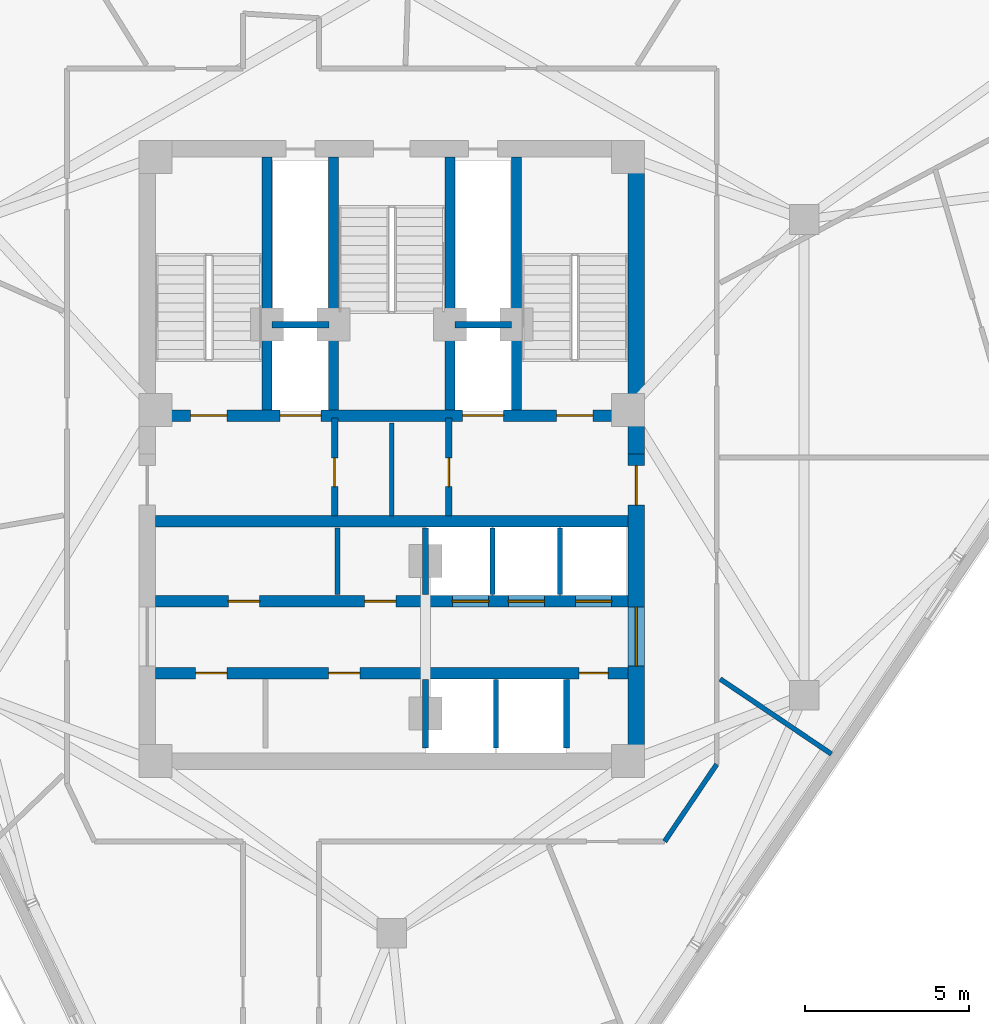
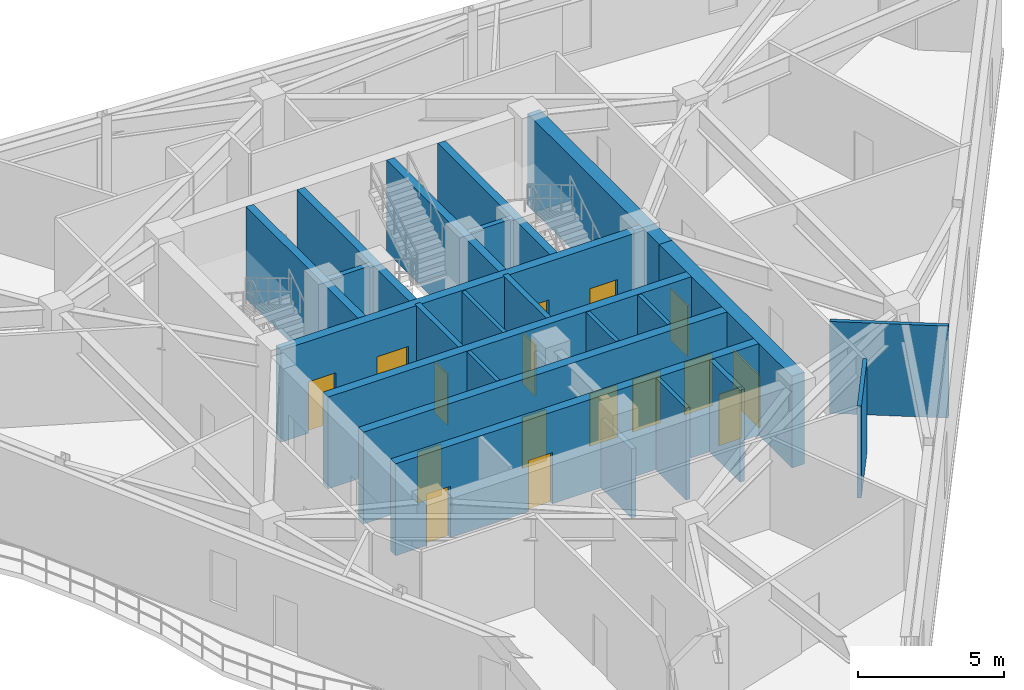
# One storey, part 6 of 10: 24 walls, 16 doors, 16 openings.
"""IFC4 building model written with IfcOpenShell, lengths in metres."""

import ifcopenshell
import ifcopenshell.guid

model = None  # the IFC model being written
_history = None  # IfcOwnerHistory: only IFC2X3 demands one
_inside = {}  # id of a spatial element -> (the spatial element, [elements in it])
_under = {}  # id of a project, library or spatial element -> (it, [spatial elements below it])
_declared = {}  # id of a project -> (the project, [libraries it declares])
_typed = {}  # id of a type object -> (the type object, [elements of that type])
_made_of = {}  # id of a material, layer set ... -> (it, [elements and type objects made of it])


def new_model(schema):
    """Start an empty IFC model of exactly this schema.

    Asked for "IFC4X3", IfcOpenShell would pick the latest addendum, in which some entities
    have other attributes; the version numbers below select the first issue.
    IFC2X3 requires an IfcOwnerHistory on every rooted entity: one is made here for all.
    """
    global model, _history
    if schema == "IFC4X3":
        model = ifcopenshell.file(schema_version=(4, 3, 0, 0))
    else:
        model = ifcopenshell.file(schema=schema)
    _inside.clear()
    _under.clear()
    _declared.clear()
    _typed.clear()
    _made_of.clear()
    _history = None
    if model.schema == "IFC2X3":
        org = make("IfcOrganization", Name="unknown")
        user = make(
            "IfcPersonAndOrganization",
            ThePerson=make("IfcPerson", FamilyName="unknown"),
            TheOrganization=org,
        )
        app = make(
            "IfcApplication",
            ApplicationDeveloper=org,
            Version="unknown",
            ApplicationFullName="unknown",
            ApplicationIdentifier="unknown",
        )
        _history = make(
            "IfcOwnerHistory",
            OwningUser=user,
            OwningApplication=app,
            ChangeAction="ADDED",
            CreationDate=0,
        )
    return model


def make(cls, **values):
    """One entity of the class cls with the attributes given. An attribute that is None is left unset."""
    return model.create_entity(
        cls, **{name: value for name, value in values.items() if value is not None}
    )


def rooted(cls, **values):
    """An entity with a GlobalId (a new one), such as an element, a storey or a relation."""
    return make(cls, GlobalId=ifcopenshell.guid.new(), OwnerHistory=_history, **values)


def si_unit(unit_type, name, prefix=None):
    """IfcSIUnit, for example si_unit("LENGTHUNIT", "METRE", prefix="MILLI")."""
    return make("IfcSIUnit", UnitType=unit_type, Prefix=prefix, Name=name)


def assignment(units):
    """IfcUnitAssignment: the units of a project."""
    return None if units is None else make("IfcUnitAssignment", Units=units)


def point(xyz):
    """IfcCartesianPoint."""
    return None if xyz is None else make("IfcCartesianPoint", Coordinates=xyz)


def direction(xyz):
    """IfcDirection."""
    return None if xyz is None else make("IfcDirection", DirectionRatios=xyz)


def frame(location, z_axis=None, x_axis=None):
    """IfcAxis2Placement3D, a coordinate frame: its origin and axes. An axis left out is left unset."""
    return make(
        "IfcAxis2Placement3D",
        Location=point(location),
        Axis=direction(z_axis),
        RefDirection=direction(x_axis),
    )


def frame_2d(location, x_axis=None):
    """IfcAxis2Placement2D, a coordinate frame in the plane: its origin and x axis."""
    return make(
        "IfcAxis2Placement2D", Location=point(location), RefDirection=direction(x_axis)
    )


def origin():
    """The frame at (0, 0, 0) with its axes left unset."""
    return frame((0.0, 0.0, 0.0))


def place(relative_to, where):
    """IfcLocalPlacement: puts the frame where relative to a parent placement (None: the world)."""
    return make(
        "IfcLocalPlacement", PlacementRelTo=relative_to, RelativePlacement=where
    )


def context(
    kind, dimensions, precision=None, world=None, true_north=None, identifier=None
):
    """IfcGeometricRepresentationContext, for example the 3D "Model" context."""
    return make(
        "IfcGeometricRepresentationContext",
        ContextIdentifier=identifier,
        ContextType=kind,
        CoordinateSpaceDimension=dimensions,
        Precision=precision,
        WorldCoordinateSystem=world,
        TrueNorth=true_north,
    )


def subcontext(parent, identifier, kind, view, scale=None):
    """IfcGeometricRepresentationSubContext, for example "Body" below "Model"."""
    return make(
        "IfcGeometricRepresentationSubContext",
        ContextIdentifier=identifier,
        ContextType=kind,
        ParentContext=parent,
        TargetScale=scale,
        TargetView=view,
    )


def project(units=None, contexts=None):
    """IfcProject with its units and contexts."""
    return rooted(
        "IfcProject",
        Name="project",
        RepresentationContexts=contexts,
        UnitsInContext=assignment(units),
    )


def spatial(cls, under=None, at=None, **own):
    """A site, building, storey or space (cls), placed at a placement, below another one or the project."""
    s = rooted(cls, ObjectPlacement=at, **own)
    if under is not None:
        _under.setdefault(under.id(), (under, []))[1].append(s)
    return s


def profile(cls, at=None, kind="AREA", **sizes):
    """A parametric profile (cls). Its sizes go by their IFC names, for example OverallWidth=200.0."""
    return make(cls, ProfileType=kind, Position=at, **sizes)


def rectangle(**sizes):
    """IfcRectangleProfileDef."""
    return profile("IfcRectangleProfileDef", **sizes)


def extrude(swept, where, along, depth):
    """IfcExtrudedAreaSolid: the profile swept, set in the frame where, extruded along a direction by depth."""
    return make(
        "IfcExtrudedAreaSolid",
        SweptArea=swept,
        Position=where,
        ExtrudedDirection=direction(along),
        Depth=depth,
    )


def shape(context_of_items, identifier, shape_type, items):
    """IfcShapeRepresentation: the items that make up one representation, for example the "Body"."""
    return make(
        "IfcShapeRepresentation",
        ContextOfItems=context_of_items,
        RepresentationIdentifier=identifier,
        RepresentationType=shape_type,
        Items=items,
    )


def material(Name=None, Category=None):
    """IfcMaterial."""
    return make("IfcMaterial", Name=Name, Category=Category)


def layer(
    of_material, thickness, ventilated=None, Name=None, Category=None, Priority=None
):
    """IfcMaterialLayer: one layer of a wall or slab, of a material (None: an air gap)."""
    return make(
        "IfcMaterialLayer",
        Material=of_material,
        LayerThickness=thickness,
        IsVentilated=ventilated,
        Name=Name,
        Category=Category,
        Priority=Priority,
    )


def layer_set(layers, Name=None):
    """IfcMaterialLayerSet."""
    return make("IfcMaterialLayerSet", MaterialLayers=layers, LayerSetName=Name)


def made_of(thing, what):
    """Note that an element or type object is made of a material, layer set ...; save() writes the relation."""
    if what is not None:
        _made_of.setdefault(what.id(), (what, []))[1].append(thing)
    return thing


def type_object(cls, material=None, **own):
    """A type object (cls), such as IfcWallType, which elements share."""
    return made_of(rooted(cls, **own), material)


def element(
    cls,
    number,
    at=None,
    inside=None,
    cuts=None,
    type_object=None,
    material=None,
    context=None,
    identifier="Body",
    shape_type=None,
    held_by="IfcProductDefinitionShape",
    body=None,
    shapes=None,
    **own,
):
    """One element of the class cls, such as IfcWall. Its Tag is "e" and its number.

    at: its placement. inside: the storey or other place that contains it. cuts: it is an
    opening in that element (IfcRelVoidsElement). A single representation is given by context,
    identifier, shape_type and body (its items); several are given by shapes. held_by: the class
    of the entity that holds the representations. save() writes the other relations.
    """
    e = rooted(cls, Tag="e%d" % number, ObjectPlacement=at, **own)
    if body is not None:
        shapes = [shape(context, identifier, shape_type, body)]
    if shapes is not None:
        e.Representation = make(held_by, Representations=shapes)
    if inside is not None:
        _inside.setdefault(inside.id(), (inside, []))[1].append(e)
    if cuts is not None:
        rooted(
            "IfcRelVoidsElement", RelatingBuildingElement=cuts, RelatedOpeningElement=e
        )
    if type_object is not None:
        _typed.setdefault(type_object.id(), (type_object, []))[1].append(e)
    return made_of(e, material)


def fill(opening, filler):
    """IfcRelFillsElement: the door or window that sits in an opening."""
    return rooted(
        "IfcRelFillsElement",
        RelatingOpeningElement=opening,
        RelatedBuildingElement=filler,
    )


def aggregate(whole, parts):
    """IfcRelAggregates: a whole, such as a stair, and the parts it consists of."""
    return rooted("IfcRelAggregates", RelatingObject=whole, RelatedObjects=parts)


def save(model, path):
    """Write the relations noted so far, then the file.

    IfcRelAggregates (storeys below a building ...), IfcRelContainedInSpatialStructure (elements
    in a storey), IfcRelDefinesByType, IfcRelAssociatesMaterial and IfcRelDeclares: one each for
    every whole, place, type object, material and project.
    """
    for whole, parts in _under.values():
        aggregate(whole, parts)
    for where, things in _inside.values():
        rooted(
            "IfcRelContainedInSpatialStructure",
            RelatedElements=things,
            RelatingStructure=where,
        )
    for kind, things in _typed.values():
        rooted("IfcRelDefinesByType", RelatedObjects=things, RelatingType=kind)
    for what, things in _made_of.values():
        rooted("IfcRelAssociatesMaterial", RelatedObjects=things, RelatingMaterial=what)
    for by, libraries in _declared.values():
        rooted("IfcRelDeclares", RelatingContext=by, RelatedDefinitions=libraries)
    model.write(path)


model = new_model("IFC4")

# Units and contexts
model_context = context("Model", 3, precision=1e-05, world=origin(), true_north=direction((0.0, 1.0)))
body_context = subcontext(model_context, "Body", "Model", "MODEL_VIEW")
ifc_project = project(units=[si_unit("LENGTHUNIT", "METRE"), si_unit("AREAUNIT", "SQUARE_METRE"), si_unit("VOLUMEUNIT", "CUBIC_METRE"), si_unit("PLANEANGLEUNIT", "RADIAN"), si_unit("MASSUNIT", "GRAM", prefix="KILO")], contexts=[model_context])

# Site, building, storey
site_placement = place(None, origin())
site = spatial("IfcSite", under=ifc_project, at=site_placement, CompositionType="ELEMENT")
building_placement = place(site_placement, origin())
building = spatial("IfcBuilding", under=site, at=building_placement, Name="Apsidion Concourse Tower", CompositionType="ELEMENT")
storey_placement = place(building_placement, frame((0.0, 0.0, 302.39990234375)))
storey = spatial("IfcBuildingStorey", under=building, at=storey_placement, Name="L71", CompositionType="ELEMENT", Elevation=302.39990234375)

# Walls
ifc_material_1 = material(Name="Gypsum plasterboard partition")
ifc_layer_1 = layer(ifc_material_1, 0.14990234375)
ifc_layer_set_1 = layer_set([ifc_layer_1], Name="Gypsum plasterboard partition")
wall_type_1 = type_object("IfcWallType", Name="WL-INT-PAR-150", PredefinedType="PARTITIONING", material=ifc_layer_set_1)
for number, where, z_axis, x_axis, name in (
    (1, (-1.64990234375, -4.179931640625, 0.0), (0.0, 0.0, 1.0), (0.0, 1.0, 0.0), "L71 Interior Partition WL-L71-B1RV1"),
    (2, (3.074951171875, -4.179931640625, 0.0), (0.0, 0.0, 1.0), (0.0, 1.0, 0.0), "L71 Interior Partition WL-L71-B3DIV-1"),
    (3, (5.125, -4.179931640625, 0.0), (0.0, 0.0, 1.0), (0.0, 1.0, 0.0), "L71 Interior Partition WL-L71-B3DIV-2"),
):
    element("IfcWall", number, at=place(storey_placement, frame(where, z_axis=z_axis, x_axis=x_axis)), inside=storey, type_object=wall_type_1, Name=name, PredefinedType="PARTITIONING", context=body_context, shape_type="SweptSolid", body=[
        extrude(rectangle(XDim=2.030029296875, YDim=0.14990234375, at=frame_2d((1.01513671875, 0.0))), origin(), (0.0, 0.0, 1.0), 3.85009765625),
    ])
wall_1_placement = place(storey_placement, frame((3.175048828125, -8.85009765625, 0.0), z_axis=(0.0, 0.0, 1.0), x_axis=(0.0, 1.0, 0.0)))
element("IfcWall", 4, at=wall_1_placement, inside=storey, type_object=wall_type_1, Name="L71 Interior Partition WL-L71-SHDIV-1", PredefinedType="PARTITIONING", context=body_context, shape_type="SweptSolid", body=[
    extrude(rectangle(XDim=2.080078125, YDim=0.14990234375, at=frame_2d((1.0400390625, 0.0))), origin(), (0.0, 0.0, 1.0), 3.85009765625),
])
wall_2_placement = place(storey_placement, frame((0.0, -1.780029296875, 0.0), z_axis=(0.0, 0.0, 1.0), x_axis=(0.0, 1.0, 0.0)))
element("IfcWall", 5, at=wall_2_placement, inside=storey, type_object=wall_type_1, Name="L71 Interior Partition WL-L71-K3V", PredefinedType="PARTITIONING", context=body_context, shape_type="SweptSolid", body=[
    extrude(rectangle(XDim=2.830078125, YDim=0.14990234375, at=frame_2d((1.4150390625, 0.0))), origin(), (0.0, 0.0, 1.0), 3.85009765625),
])
wall_3_placement = place(storey_placement, frame((9.89990234375, -9.348388671875, 0.0), z_axis=(0.0, 0.0, 1.0), x_axis=(-0.559200828408, -0.829032227062, 0.0)))
element("IfcWall", 6, at=wall_3_placement, inside=storey, type_object=wall_type_1, Name="L71 Interior Partition WL-L71-CORR-10", PredefinedType="PARTITIONING", context=body_context, shape_type="SweptSolid", body=[
    extrude(rectangle(XDim=2.83642578125, YDim=0.14990234375, at=frame_2d((1.418212890625, 0.0))), origin(), (0.0, 0.0, 1.0), 3.85009765625),
])
wall_4_placement = place(storey_placement, frame((10.0048828125, -6.74853515625, 0.0), z_axis=(0.0, 0.0, 1.0), x_axis=(0.829060536135, -0.559158857056, 0.0)))
element("IfcWall", 7, at=wall_4_placement, inside=storey, type_object=wall_type_1, Name="L71 Interior Partition WL-L71-RAD-11-1", PredefinedType="PARTITIONING", context=body_context, shape_type="SweptSolid", body=[
    extrude(rectangle(XDim=4.086669921875, YDim=0.14990234375, at=frame_2d((2.04345703125, 0.0))), origin(), (0.0, 0.0, 1.0), 3.85009765625),
])
ifc_layer_2 = layer(ifc_material_1, 0.179931640625)
ifc_layer_set_2 = layer_set([ifc_layer_2], Name="Gypsum plasterboard partition")
wall_type_2 = type_object("IfcWallType", Name="WL-INT-PAR-180", PredefinedType="PARTITIONING", material=ifc_layer_set_2)
wall_5_placement = place(storey_placement, frame((1.02490234375, -4.179931640625, 0.0), z_axis=(0.0, 0.0, 1.0), x_axis=(0.0, 1.0, 0.0)))
element("IfcWall", 8, at=wall_5_placement, inside=storey, type_object=wall_type_2, Name="L71 Interior Partition WL-L71-B1END", PredefinedType="PARTITIONING", context=body_context, shape_type="SweptSolid", body=[
    extrude(rectangle(XDim=2.030029296875, YDim=0.179931640625, at=frame_2d((1.01513671875, 0.0))), origin(), (0.0, 0.0, 1.0), 2.898193359375),
])
wall_6_placement = place(storey_placement, frame((1.02490234375, -8.85009765625, 0.0), z_axis=(0.0, 0.0, 1.0), x_axis=(0.0, 1.0, 0.0)))
element("IfcWall", 9, at=wall_6_placement, inside=storey, type_object=wall_type_2, Name="L71 Interior Partition WL-L71-B2END", PredefinedType="PARTITIONING", context=body_context, shape_type="SweptSolid", body=[
    extrude(rectangle(XDim=2.080078125, YDim=0.179931640625, at=frame_2d((1.0400390625, 0.0))), origin(), (0.0, 0.0, 1.0), 2.898193359375),
])
wall_7_placement = place(storey_placement, frame((5.324951171875, -8.85009765625, 0.0), z_axis=(0.0, 0.0, 1.0), x_axis=(0.0, 1.0, 0.0)))
element("IfcWall", 10, at=wall_7_placement, inside=storey, type_object=wall_type_2, Name="L71 Interior Partition WL-L71-SHDIV-2", PredefinedType="PARTITIONING", context=body_context, shape_type="SweptSolid", body=[
    extrude(rectangle(XDim=2.080078125, YDim=0.179931640625, at=frame_2d((1.0400390625, 0.0))), origin(), (0.0, 0.0, 1.0), 3.85009765625),
])
ifc_layer_3 = layer(ifc_material_1, 0.199951171875)
ifc_layer_set_3 = layer_set([ifc_layer_3], Name="Gypsum plasterboard partition")
wall_type_3 = type_object("IfcWallType", Name="WL-INT-PAR-200", PredefinedType="PARTITIONING", material=ifc_layer_set_3)
for number, where, z_axis, x_axis, name in (
    (11, (-3.64990234375, 4.050048828125, 0.0), (0.0, 0.0, 1.0), (1.0, 0.0, 0.0), "L71 Interior Partition WL-L71-FF1-N"),
    (12, (1.919921875, 4.050048828125, 0.0), (0.0, 0.0, 1.0), (1.0, 0.0, 0.0), "L71 Interior Partition WL-L71-FF2-N"),
):
    element("IfcWall", number, at=place(storey_placement, frame(where, z_axis=z_axis, x_axis=x_axis)), inside=storey, type_object=wall_type_3, Name=name, PredefinedType="PARTITIONING", context=body_context, shape_type="SweptSolid", body=[
        extrude(rectangle(XDim=1.72998046875, YDim=0.199951171875, at=frame_2d((0.864990234375, 0.0))), origin(), (0.0, 0.0, 1.0), 3.85009765625),
    ])

# Wall, opening, door
wall_8_placement = place(storey_placement, frame((-1.739990234375, -1.780029296875, 0.0), z_axis=(0.0, 0.0, 1.0), x_axis=(0.0, 1.0, 0.0)))
wall_8 = element("IfcWall", 13, at=wall_8_placement, inside=storey, type_object=wall_type_3, Name="L71 Interior Partition WL-L71-FF1-E", PredefinedType="PARTITIONING", context=body_context, shape_type="SweptSolid", body=[
    extrude(rectangle(XDim=2.97998046875, YDim=0.199951171875, at=frame_2d((1.489990234375, 0.0))), origin(), (0.0, 0.0, 1.0), 3.85009765625),
])
opening_1_placement = place(wall_8_placement, frame((0.889892578125, 0.0, 0.0)))
opening_1 = element("IfcOpeningElement", 14, at=opening_1_placement, cuts=wall_8, Name="Opening D-05R", PredefinedType="OPENING", context=body_context, shape_type="SweptSolid", body=[
    extrude(rectangle(XDim=0.8798828125, YDim=2.14990234375, at=frame_2d((0.43994140625, 1.074951171875))), frame((0.0, 0.10986328125, 0.0), z_axis=(0.0, -1.0, 0.0), x_axis=(1.0, 0.0, 0.0)), (0.0, 0.0, 1.0), 0.219970703125),
])
ifc_material_2 = material(Name="Brushed stainless steel 316", Category="steel")
door_type_1 = type_object("IfcDoorType", Name="DR-INT-D05R", OperationType="SINGLE_SWING_RIGHT", PredefinedType="DOOR", material=ifc_material_2)
door_1_placement = place(opening_1_placement, origin())
door_1 = element("IfcDoor", 15, at=door_1_placement, inside=storey, type_object=door_type_1, Name="L71 Core Pantry Door", OperationType="SINGLE_SWING_RIGHT", OverallHeight=2.14990234375, OverallWidth=0.8798828125, PredefinedType="DOOR", context=body_context, shape_type="SweptSolid", body=[
    extrude(rectangle(XDim=0.8798828125, YDim=2.14990234375, at=frame_2d((0.43994140625, 1.074951171875))), frame((0.0, 0.02490234375, 0.0), z_axis=(0.0, -1.0, 0.0), x_axis=(1.0, 0.0, 0.0)), (0.0, 0.0, 1.0), 0.050048828125),
])
fill(opening_1, door_1)

wall_9_placement = place(storey_placement, frame((1.739990234375, -1.780029296875, 0.0), z_axis=(0.0, 0.0, 1.0), x_axis=(0.0, 1.0, 0.0)))
wall_9 = element("IfcWall", 16, at=wall_9_placement, inside=storey, type_object=wall_type_3, Name="L71 Interior Partition WL-L71-FF2-W", PredefinedType="PARTITIONING", context=body_context, shape_type="SweptSolid", body=[
    extrude(rectangle(XDim=2.97998046875, YDim=0.199951171875, at=frame_2d((1.489990234375, 0.0))), origin(), (0.0, 0.0, 1.0), 3.85009765625),
])
opening_2_placement = place(wall_9_placement, frame((0.889892578125, 0.0, 0.0)))
opening_2 = element("IfcOpeningElement", 17, at=opening_2_placement, cuts=wall_9, Name="Opening D-05L", PredefinedType="OPENING", context=body_context, shape_type="SweptSolid", body=[
    extrude(rectangle(XDim=0.8798828125, YDim=2.14990234375, at=frame_2d((0.43994140625, 1.074951171875))), frame((0.0, 0.10986328125, 0.0), z_axis=(0.0, -1.0, 0.0), x_axis=(1.0, 0.0, 0.0)), (0.0, 0.0, 1.0), 0.219970703125),
])
door_type_2 = type_object("IfcDoorType", Name="DR-INT-D05L", OperationType="SINGLE_SWING_LEFT", PredefinedType="DOOR", material=ifc_material_2)
door_2_placement = place(opening_2_placement, origin())
door_2 = element("IfcDoor", 18, at=door_2_placement, inside=storey, type_object=door_type_2, Name="L71 Core Electrical Door", OperationType="SINGLE_SWING_LEFT", OverallHeight=2.14990234375, OverallWidth=0.8798828125, PredefinedType="DOOR", context=body_context, shape_type="SweptSolid", body=[
    extrude(rectangle(XDim=0.8798828125, YDim=2.14990234375, at=frame_2d((0.43994140625, 1.074951171875))), frame((0.0, 0.02490234375, 0.0), z_axis=(0.0, -1.0, 0.0), x_axis=(1.0, 0.0, 0.0)), (0.0, 0.0, 1.0), 0.050048828125),
])
fill(opening_2, door_2)

# Walls
ifc_material_3 = material(Name="Concrete C50/60", Category="concrete")
ifc_layer_4 = layer(ifc_material_3, 0.300048828125)
ifc_layer_set_4 = layer_set([ifc_layer_4], Name="Concrete C50/60")
wall_type_4 = type_object("IfcWallType", Name="WL-SH-300", PredefinedType="SHEAR", material=ifc_layer_set_4)
for number, where, z_axis, x_axis, name in (
    (19, (-3.800048828125, 1.449951171875, 0.0), (0.0, 0.0, 1.0), (0.0, 1.0, 0.0), "L71 Central Core Shear Wall V1"),
    (20, (-1.77490234375, 1.449951171875, 0.0), (0.0, 0.0, 1.0), (0.0, 1.0, 0.0), "L71 Central Core Shear Wall V2"),
    (21, (1.77490234375, 1.449951171875, 0.0), (0.0, 0.0, 1.0), (0.0, 1.0, 0.0), "L71 Central Core Shear Wall V3"),
    (22, (3.800048828125, 1.449951171875, 0.0), (0.0, 0.0, 1.0), (0.0, 1.0, 0.0), "L71 Central Core Shear Wall V4"),
):
    element("IfcWall", number, at=place(storey_placement, frame(where, z_axis=z_axis, x_axis=x_axis)), inside=storey, type_object=wall_type_4, Name=name, PredefinedType="SHEAR", context=body_context, shape_type="SweptSolid", body=[
        extrude(rectangle(XDim=7.699951171875, YDim=0.300048828125, at=frame_2d((3.85009765625, 0.0))), origin(), (0.0, 0.0, 1.0), 3.85009765625),
    ])

# Wall, openings, doors
ifc_layer_5 = layer(ifc_material_3, 0.35009765625)
ifc_layer_set_5 = layer_set([ifc_layer_5], Name="Concrete C50/60")
wall_type_5 = type_object("IfcWallType", Name="WL-SH-350", PredefinedType="SHEAR", material=ifc_layer_set_5)
wall_10_placement = place(storey_placement, frame((-7.199951171875, 1.27490234375, 0.0), z_axis=(0.0, 0.0, 1.0), x_axis=(1.0, 0.0, 0.0)))
wall_10 = element("IfcWall", 23, at=wall_10_placement, inside=storey, type_object=wall_type_5, Name="L71 Central Core Shear Wall M1", PredefinedType="SHEAR", context=body_context, shape_type="SweptSolid", body=[
    extrude(rectangle(XDim=14.39990234375, YDim=0.35009765625, at=frame_2d((7.199951171875, 0.0))), origin(), (0.0, 0.0, 1.0), 3.85009765625),
])
opening_3_placement = place(wall_10_placement, frame((3.794921875, 0.0, 0.0)))
opening_3 = element("IfcOpeningElement", 24, at=opening_3_placement, cuts=wall_10, Name="Opening LD-FF", PredefinedType="OPENING", context=body_context, shape_type="SweptSolid", body=[
    extrude(rectangle(XDim=1.25, YDim=2.25, at=frame_2d((0.625, 1.125))), frame((0.0, 0.18505859375, 0.0), z_axis=(0.0, -1.0, 0.0), x_axis=(1.0, 0.0, 0.0)), (0.0, 0.0, 1.0), 0.3701171875),
])
opening_4_placement = place(wall_10_placement, frame((9.35498046875, 0.0, 0.0)))
opening_4 = element("IfcOpeningElement", 25, at=opening_4_placement, cuts=wall_10, Name="Opening LD-FF", PredefinedType="OPENING", context=body_context, shape_type="SweptSolid", body=[
    extrude(rectangle(XDim=1.25, YDim=2.25, at=frame_2d((0.625, 1.125))), frame((0.0, 0.18505859375, 0.0), z_axis=(0.0, -1.0, 0.0), x_axis=(1.0, 0.0, 0.0)), (0.0, 0.0, 1.0), 0.3701171875),
])
opening_5_placement = place(wall_10_placement, frame((1.074951171875, 0.0, 0.0)))
opening_5 = element("IfcOpeningElement", 26, at=opening_5_placement, cuts=wall_10, Name="Opening D-STL", PredefinedType="OPENING", context=body_context, shape_type="SweptSolid", body=[
    extrude(rectangle(XDim=1.10009765625, YDim=2.14990234375, at=frame_2d((0.550048828125, 1.074951171875))), frame((0.0, 0.18505859375, 0.0), z_axis=(0.0, -1.0, 0.0), x_axis=(1.0, 0.0, 0.0)), (0.0, 0.0, 1.0), 0.3701171875),
])
opening_6_placement = place(wall_10_placement, frame((12.22509765625, 0.0, 0.0)))
opening_6 = element("IfcOpeningElement", 27, at=opening_6_placement, cuts=wall_10, Name="Opening D-STR", PredefinedType="OPENING", context=body_context, shape_type="SweptSolid", body=[
    extrude(rectangle(XDim=1.10009765625, YDim=2.14990234375, at=frame_2d((0.550048828125, 1.074951171875))), frame((0.0, 0.18505859375, 0.0), z_axis=(0.0, -1.0, 0.0), x_axis=(1.0, 0.0, 0.0)), (0.0, 0.0, 1.0), 0.3701171875),
])
door_type_3 = type_object("IfcDoorType", Name="DR-INT-ST1L", OperationType="SINGLE_SWING_LEFT", PredefinedType="DOOR", material=ifc_material_2)
door_3_placement = place(opening_5_placement, origin())
door_3 = element("IfcDoor", 28, at=door_3_placement, inside=storey, type_object=door_type_3, Name="L71 Core Exit Stair ST1 Door", OperationType="SINGLE_SWING_LEFT", OverallHeight=2.14990234375, OverallWidth=1.10009765625, PredefinedType="DOOR", context=body_context, shape_type="SweptSolid", body=[
    extrude(rectangle(XDim=1.10009765625, YDim=2.14990234375, at=frame_2d((0.550048828125, 1.074951171875))), frame((0.0, 0.02490234375, 0.0), z_axis=(0.0, -1.0, 0.0), x_axis=(1.0, 0.0, 0.0)), (0.0, 0.0, 1.0), 0.050048828125),
])
fill(opening_5, door_3)
door_type_4 = type_object("IfcDoorType", Name="DR-INT-ST1R", OperationType="SINGLE_SWING_RIGHT", PredefinedType="DOOR", material=ifc_material_2)
door_4_placement = place(opening_6_placement, origin())
door_4 = element("IfcDoor", 29, at=door_4_placement, inside=storey, type_object=door_type_4, Name="L71 Core Exit Stair ST2 Door", OperationType="SINGLE_SWING_RIGHT", OverallHeight=2.14990234375, OverallWidth=1.10009765625, PredefinedType="DOOR", context=body_context, shape_type="SweptSolid", body=[
    extrude(rectangle(XDim=1.10009765625, YDim=2.14990234375, at=frame_2d((0.550048828125, 1.074951171875))), frame((0.0, 0.02490234375, 0.0), z_axis=(0.0, -1.0, 0.0), x_axis=(1.0, 0.0, 0.0)), (0.0, 0.0, 1.0), 0.050048828125),
])
fill(opening_6, door_4)
door_type_5 = type_object("IfcDoorType", Name="DR-LD-FSAE", OperationType="DOUBLE_DOOR_SLIDING", PredefinedType="DOOR", material=ifc_material_2)
door_5_placement = place(opening_3_placement, origin())
door_5 = element("IfcDoor", 30, at=door_5_placement, inside=storey, type_object=door_type_5, Name="L71 Lift Landing Door FF1", OperationType="DOUBLE_DOOR_SLIDING", OverallHeight=2.25, OverallWidth=1.25, PredefinedType="DOOR", context=body_context, shape_type="SweptSolid", body=[
    extrude(rectangle(XDim=1.25, YDim=2.25, at=frame_2d((0.625, 1.125))), frame((0.0, 0.02490234375, 0.0), z_axis=(0.0, -1.0, 0.0), x_axis=(1.0, 0.0, 0.0)), (0.0, 0.0, 1.0), 0.050048828125),
])
fill(opening_3, door_5)
door_6_placement = place(opening_4_placement, origin())
door_6 = element("IfcDoor", 31, at=door_6_placement, inside=storey, type_object=door_type_5, Name="L71 Lift Landing Door FF2", OperationType="DOUBLE_DOOR_SLIDING", OverallHeight=2.25, OverallWidth=1.25, PredefinedType="DOOR", context=body_context, shape_type="SweptSolid", body=[
    extrude(rectangle(XDim=1.25, YDim=2.25, at=frame_2d((0.625, 1.125))), frame((0.0, 0.02490234375, 0.0), z_axis=(0.0, -1.0, 0.0), x_axis=(1.0, 0.0, 0.0)), (0.0, 0.0, 1.0), 0.050048828125),
])
fill(opening_4, door_6)

# Wall
wall_11_placement = place(storey_placement, frame((-7.199951171875, -1.949951171875, 0.0), z_axis=(0.0, 0.0, 1.0), x_axis=(1.0, 0.0, 0.0)))
element("IfcWall", 32, at=wall_11_placement, inside=storey, type_object=wall_type_5, Name="L71 Central Core Shear Wall M2", PredefinedType="SHEAR", context=body_context, shape_type="SweptSolid", body=[
    extrude(rectangle(XDim=14.39990234375, YDim=0.35009765625, at=frame_2d((7.199951171875, 0.0))), origin(), (0.0, 0.0, 1.0), 3.85009765625),
])

# Wall, openings, doors
wall_12_placement = place(storey_placement, frame((-7.199951171875, -4.3798828125, 0.0), z_axis=(0.0, 0.0, 1.0), x_axis=(1.0, 0.0, 0.0)))
wall_12 = element("IfcWall", 33, at=wall_12_placement, inside=storey, type_object=wall_type_5, Name="L71 Central Core Shear Wall LA", PredefinedType="SHEAR", context=body_context, shape_type="SweptSolid", body=[
    extrude(rectangle(XDim=14.39990234375, YDim=0.35009765625, at=frame_2d((7.199951171875, 0.0))), origin(), (0.0, 0.0, 1.0), 3.85009765625),
])
opening_7_placement = place(wall_12_placement, frame((9.050048828125, 0.0, 0.0)))
opening_7 = element("IfcOpeningElement", 34, at=opening_7_placement, cuts=wall_12, Name="Opening LD-P1", PredefinedType="OPENING", context=body_context, shape_type="SweptSolid", body=[
    extrude(rectangle(XDim=1.10009765625, YDim=2.199951171875, at=frame_2d((0.550048828125, 1.10009765625))), frame((0.0, 0.18505859375, 0.0), z_axis=(0.0, -1.0, 0.0), x_axis=(1.0, 0.0, 0.0)), (0.0, 0.0, 1.0), 0.3701171875),
])
opening_8_placement = place(wall_12_placement, frame((10.75, 0.0, 0.0)))
opening_8 = element("IfcOpeningElement", 35, at=opening_8_placement, cuts=wall_12, Name="Opening LD-P1", PredefinedType="OPENING", context=body_context, shape_type="SweptSolid", body=[
    extrude(rectangle(XDim=1.10009765625, YDim=2.199951171875, at=frame_2d((0.550048828125, 1.10009765625))), frame((0.0, 0.18505859375, 0.0), z_axis=(0.0, -1.0, 0.0), x_axis=(1.0, 0.0, 0.0)), (0.0, 0.0, 1.0), 0.3701171875),
])
opening_9_placement = place(wall_12_placement, frame((12.800048828125, 0.0, 0.0)))
opening_9 = element("IfcOpeningElement", 36, at=opening_9_placement, cuts=wall_12, Name="Opening LD-P1", PredefinedType="OPENING", context=body_context, shape_type="SweptSolid", body=[
    extrude(rectangle(XDim=1.10009765625, YDim=2.199951171875, at=frame_2d((0.550048828125, 1.10009765625))), frame((0.0, 0.18505859375, 0.0), z_axis=(0.0, -1.0, 0.0), x_axis=(1.0, 0.0, 0.0)), (0.0, 0.0, 1.0), 0.3701171875),
])
opening_10_placement = place(wall_12_placement, frame((2.22509765625, 0.0, 0.0)))
opening_10 = element("IfcOpeningElement", 37, at=opening_10_placement, cuts=wall_12, Name="Opening D-04L", PredefinedType="OPENING", context=body_context, shape_type="SweptSolid", body=[
    extrude(rectangle(XDim=0.949951171875, YDim=2.14990234375, at=frame_2d((0.47509765625, 1.074951171875))), frame((0.0, 0.18505859375, 0.0), z_axis=(0.0, -1.0, 0.0), x_axis=(1.0, 0.0, 0.0)), (0.0, 0.0, 1.0), 0.3701171875),
])
opening_11_placement = place(wall_12_placement, frame((6.375, 0.0, 0.0)))
opening_11 = element("IfcOpeningElement", 38, at=opening_11_placement, cuts=wall_12, Name="Opening D-04R", PredefinedType="OPENING", context=body_context, shape_type="SweptSolid", body=[
    extrude(rectangle(XDim=0.949951171875, YDim=2.14990234375, at=frame_2d((0.47509765625, 1.074951171875))), frame((0.0, 0.18505859375, 0.0), z_axis=(0.0, -1.0, 0.0), x_axis=(1.0, 0.0, 0.0)), (0.0, 0.0, 1.0), 0.3701171875),
])
door_type_6 = type_object("IfcDoorType", Name="DR-INT-D04L", OperationType="SINGLE_SWING_LEFT", PredefinedType="DOOR", material=ifc_material_2)
door_7_placement = place(opening_10_placement, origin())
door_7 = element("IfcDoor", 39, at=door_7_placement, inside=storey, type_object=door_type_6, Name="L71 Tenant Records Archive Room Door", OperationType="SINGLE_SWING_LEFT", OverallHeight=2.14990234375, OverallWidth=0.949951171875, PredefinedType="DOOR", context=body_context, shape_type="SweptSolid", body=[
    extrude(rectangle(XDim=0.949951171875, YDim=2.14990234375, at=frame_2d((0.47509765625, 1.074951171875))), frame((0.0, 0.02490234375, 0.0), z_axis=(0.0, -1.0, 0.0), x_axis=(1.0, 0.0, 0.0)), (0.0, 0.0, 1.0), 0.050048828125),
])
fill(opening_10, door_7)
door_type_7 = type_object("IfcDoorType", Name="DR-INT-D04R", OperationType="SINGLE_SWING_RIGHT", PredefinedType="DOOR", material=ifc_material_2)
door_8_placement = place(opening_11_placement, origin())
door_8 = element("IfcDoor", 40, at=door_8_placement, inside=storey, type_object=door_type_7, Name="L71 Core Beverage Pantry Door", OperationType="SINGLE_SWING_RIGHT", OverallHeight=2.14990234375, OverallWidth=0.949951171875, PredefinedType="DOOR", context=body_context, shape_type="SweptSolid", body=[
    extrude(rectangle(XDim=0.949951171875, YDim=2.14990234375, at=frame_2d((0.47509765625, 1.074951171875))), frame((0.0, 0.02490234375, 0.0), z_axis=(0.0, -1.0, 0.0), x_axis=(1.0, 0.0, 0.0)), (0.0, 0.0, 1.0), 0.050048828125),
])
fill(opening_11, door_8)
door_type_8 = type_object("IfcDoorType", Name="DR-LD-PASS", OperationType="DOUBLE_DOOR_SLIDING", PredefinedType="DOOR", material=ifc_material_2)
door_9_placement = place(opening_7_placement, origin())
door_9 = element("IfcDoor", 41, at=door_9_placement, inside=storey, type_object=door_type_8, Name="L71 Lift Landing Door P9", OperationType="DOUBLE_DOOR_SLIDING", OverallHeight=2.199951171875, OverallWidth=1.10009765625, PredefinedType="DOOR", context=body_context, shape_type="SweptSolid", body=[
    extrude(rectangle(XDim=1.10009765625, YDim=2.199951171875, at=frame_2d((0.550048828125, 1.10009765625))), frame((0.0, 0.02490234375, 0.0), z_axis=(0.0, -1.0, 0.0), x_axis=(1.0, 0.0, 0.0)), (0.0, 0.0, 1.0), 0.050048828125),
])
fill(opening_7, door_9)
door_10_placement = place(opening_8_placement, origin())
door_10 = element("IfcDoor", 42, at=door_10_placement, inside=storey, type_object=door_type_8, Name="L71 Lift Landing Door P10", OperationType="DOUBLE_DOOR_SLIDING", OverallHeight=2.199951171875, OverallWidth=1.10009765625, PredefinedType="DOOR", context=body_context, shape_type="SweptSolid", body=[
    extrude(rectangle(XDim=1.10009765625, YDim=2.199951171875, at=frame_2d((0.550048828125, 1.10009765625))), frame((0.0, 0.02490234375, 0.0), z_axis=(0.0, -1.0, 0.0), x_axis=(1.0, 0.0, 0.0)), (0.0, 0.0, 1.0), 0.050048828125),
])
fill(opening_8, door_10)
door_11_placement = place(opening_9_placement, origin())
door_11 = element("IfcDoor", 43, at=door_11_placement, inside=storey, type_object=door_type_8, Name="L71 Lift Landing Door P11", OperationType="DOUBLE_DOOR_SLIDING", OverallHeight=2.199951171875, OverallWidth=1.10009765625, PredefinedType="DOOR", context=body_context, shape_type="SweptSolid", body=[
    extrude(rectangle(XDim=1.10009765625, YDim=2.199951171875, at=frame_2d((0.550048828125, 1.10009765625))), frame((0.0, 0.02490234375, 0.0), z_axis=(0.0, -1.0, 0.0), x_axis=(1.0, 0.0, 0.0)), (0.0, 0.0, 1.0), 0.050048828125),
])
fill(opening_9, door_11)

wall_13_placement = place(storey_placement, frame((-7.199951171875, -6.570068359375, 0.0), z_axis=(0.0, 0.0, 1.0), x_axis=(1.0, 0.0, 0.0)))
wall_13 = element("IfcWall", 44, at=wall_13_placement, inside=storey, type_object=wall_type_5, Name="L71 Central Core Shear Wall LB", PredefinedType="SHEAR", context=body_context, shape_type="SweptSolid", body=[
    extrude(rectangle(XDim=14.39990234375, YDim=0.35009765625, at=frame_2d((7.199951171875, 0.0))), origin(), (0.0, 0.0, 1.0), 3.85009765625),
])
opening_12_placement = place(wall_13_placement, frame((1.22509765625, 0.0, 0.0)))
opening_12 = element("IfcOpeningElement", 45, at=opening_12_placement, cuts=wall_13, Name="Opening D-04R", PredefinedType="OPENING", context=body_context, shape_type="SweptSolid", body=[
    extrude(rectangle(XDim=0.949951171875, YDim=2.14990234375, at=frame_2d((0.47509765625, 1.074951171875))), frame((0.0, 0.18505859375, 0.0), z_axis=(0.0, -1.0, 0.0), x_axis=(1.0, 0.0, 0.0)), (0.0, 0.0, 1.0), 0.3701171875),
])
opening_13_placement = place(wall_13_placement, frame((5.27490234375, 0.0, 0.0)))
opening_13 = element("IfcOpeningElement", 46, at=opening_13_placement, cuts=wall_13, Name="Opening D-04L", PredefinedType="OPENING", context=body_context, shape_type="SweptSolid", body=[
    extrude(rectangle(XDim=0.949951171875, YDim=2.14990234375, at=frame_2d((0.47509765625, 1.074951171875))), frame((0.0, 0.18505859375, 0.0), z_axis=(0.0, -1.0, 0.0), x_axis=(1.0, 0.0, 0.0)), (0.0, 0.0, 1.0), 0.3701171875),
])
opening_14_placement = place(wall_13_placement, frame((12.909912109375, 0.0, 0.0)))
opening_14 = element("IfcOpeningElement", 47, at=opening_14_placement, cuts=wall_13, Name="Opening D-05L", PredefinedType="OPENING", context=body_context, shape_type="SweptSolid", body=[
    extrude(rectangle(XDim=0.8798828125, YDim=2.14990234375, at=frame_2d((0.43994140625, 1.074951171875))), frame((0.0, 0.18505859375, 0.0), z_axis=(0.0, -1.0, 0.0), x_axis=(1.0, 0.0, 0.0)), (0.0, 0.0, 1.0), 0.3701171875),
])
door_12_placement = place(opening_13_placement, origin())
door_12 = element("IfcDoor", 48, at=door_12_placement, inside=storey, type_object=door_type_6, Name="L71 Executive Servery Pantry Door", OperationType="SINGLE_SWING_LEFT", OverallHeight=2.14990234375, OverallWidth=0.949951171875, PredefinedType="DOOR", context=body_context, shape_type="SweptSolid", body=[
    extrude(rectangle(XDim=0.949951171875, YDim=2.14990234375, at=frame_2d((0.47509765625, 1.074951171875))), frame((0.0, 0.02490234375, 0.0), z_axis=(0.0, -1.0, 0.0), x_axis=(1.0, 0.0, 0.0)), (0.0, 0.0, 1.0), 0.050048828125),
])
fill(opening_13, door_12)
door_13_placement = place(opening_12_placement, origin())
door_13 = element("IfcDoor", 49, at=door_13_placement, inside=storey, type_object=door_type_7, Name="L71 Executive Records Store Door", OperationType="SINGLE_SWING_RIGHT", OverallHeight=2.14990234375, OverallWidth=0.949951171875, PredefinedType="DOOR", context=body_context, shape_type="SweptSolid", body=[
    extrude(rectangle(XDim=0.949951171875, YDim=2.14990234375, at=frame_2d((0.47509765625, 1.074951171875))), frame((0.0, 0.02490234375, 0.0), z_axis=(0.0, -1.0, 0.0), x_axis=(1.0, 0.0, 0.0)), (0.0, 0.0, 1.0), 0.050048828125),
])
fill(opening_12, door_13)
door_14_placement = place(opening_14_placement, origin())
door_14 = element("IfcDoor", 50, at=door_14_placement, inside=storey, type_object=door_type_2, Name="L71 Cleaners Store Door", OperationType="SINGLE_SWING_LEFT", OverallHeight=2.14990234375, OverallWidth=0.8798828125, PredefinedType="DOOR", context=body_context, shape_type="SweptSolid", body=[
    extrude(rectangle(XDim=0.8798828125, YDim=2.14990234375, at=frame_2d((0.43994140625, 1.074951171875))), frame((0.0, 0.02490234375, 0.0), z_axis=(0.0, -1.0, 0.0), x_axis=(1.0, 0.0, 0.0)), (0.0, 0.0, 1.0), 0.050048828125),
])
fill(opening_14, door_14)

# Wall
ifc_layer_6 = layer(ifc_material_3, 0.5)
ifc_layer_set_6 = layer_set([ifc_layer_6], Name="Concrete C50/60")
wall_type_6 = type_object("IfcWallType", Name="WL-SH-500", PredefinedType="SHEAR", material=ifc_layer_set_6)
wall_14_placement = place(storey_placement, frame((7.449951171875, 0.10009765625, 0.0), z_axis=(0.0, 0.0, 1.0), x_axis=(0.0, 1.0, 0.0)))
element("IfcWall", 51, at=wall_14_placement, inside=storey, type_object=wall_type_6, Name="L71 Central Core Shear Wall EN", PredefinedType="SHEAR", context=body_context, shape_type="SweptSolid", body=[
    extrude(rectangle(XDim=9.0498046875, YDim=0.5, at=frame_2d((4.52490234375, 0.0))), origin(), (0.0, 0.0, 1.0), 3.85009765625),
])

# Wall, openings, doors
wall_15_placement = place(storey_placement, frame((7.449951171875, -9.0, 0.0), z_axis=(0.0, 0.0, 1.0), x_axis=(0.0, 1.0, 0.0)))
wall_15 = element("IfcWall", 52, at=wall_15_placement, inside=storey, type_object=wall_type_6, Name="L71 Central Core Shear Wall ES", PredefinedType="SHEAR", context=body_context, shape_type="SweptSolid", body=[
    extrude(rectangle(XDim=9.10009765625, YDim=0.5, at=frame_2d((4.550048828125, 0.0))), origin(), (0.0, 0.0, 1.0), 3.85009765625),
])
opening_15_placement = place(wall_15_placement, frame((2.639892578125, 0.0, 0.0)))
opening_15 = element("IfcOpeningElement", 53, at=opening_15_placement, cuts=wall_15, Name="Opening D-06D", PredefinedType="OPENING", context=body_context, shape_type="SweptSolid", body=[
    extrude(rectangle(XDim=1.800048828125, YDim=2.199951171875, at=frame_2d((0.89990234375, 1.10009765625))), frame((0.0, 0.260009765625, 0.0), z_axis=(0.0, -1.0, 0.0), x_axis=(1.0, 0.0, 0.0)), (0.0, 0.0, 1.0), 0.52001953125),
])
opening_16_placement = place(wall_15_placement, frame((7.550048828125, 0.0, 0.0)))
opening_16 = element("IfcOpeningElement", 54, at=opening_16_placement, cuts=wall_15, Name="Opening D-FFR", PredefinedType="OPENING", context=body_context, shape_type="SweptSolid", body=[
    extrude(rectangle(XDim=1.199951171875, YDim=2.14990234375, at=frame_2d((0.60009765625, 1.074951171875))), frame((0.0, 0.260009765625, 0.0), z_axis=(0.0, -1.0, 0.0), x_axis=(1.0, 0.0, 0.0)), (0.0, 0.0, 1.0), 0.52001953125),
])
door_type_9 = type_object("IfcDoorType", Name="DR-INT-D06D", OperationType="DOUBLE_DOOR_SINGLE_SWING", PredefinedType="DOOR", material=ifc_material_2)
door_15_placement = place(opening_15_placement, origin())
door_15 = element("IfcDoor", 55, at=door_15_placement, inside=storey, type_object=door_type_9, Name="L71 Passenger Lift Lobby ES Portal Door", OperationType="DOUBLE_DOOR_SINGLE_SWING", OverallHeight=2.199951171875, OverallWidth=1.800048828125, PredefinedType="DOOR", context=body_context, shape_type="SweptSolid", body=[
    extrude(rectangle(XDim=1.800048828125, YDim=2.199951171875, at=frame_2d((0.89990234375, 1.10009765625))), frame((0.0, 0.02490234375, 0.0), z_axis=(0.0, -1.0, 0.0), x_axis=(1.0, 0.0, 0.0)), (0.0, 0.0, 1.0), 0.050048828125),
])
fill(opening_15, door_15)
door_type_10 = type_object("IfcDoorType", Name="DR-INT-FFR", OperationType="SINGLE_SWING_RIGHT", PredefinedType="DOOR", material=ifc_material_2)
door_16_placement = place(opening_16_placement, origin())
door_16 = element("IfcDoor", 56, at=door_16_placement, inside=storey, type_object=door_type_10, Name="L71 Firefighting Lift Lobby FF2 Door", OperationType="SINGLE_SWING_RIGHT", OverallHeight=2.14990234375, OverallWidth=1.199951171875, PredefinedType="DOOR", context=body_context, shape_type="SweptSolid", body=[
    extrude(rectangle(XDim=1.199951171875, YDim=2.14990234375, at=frame_2d((0.60009765625, 1.074951171875))), frame((0.0, 0.02490234375, 0.0), z_axis=(0.0, -1.0, 0.0), x_axis=(1.0, 0.0, 0.0)), (0.0, 0.0, 1.0), 0.050048828125),
])
fill(opening_16, door_16)

save(model, "model.ifc")
